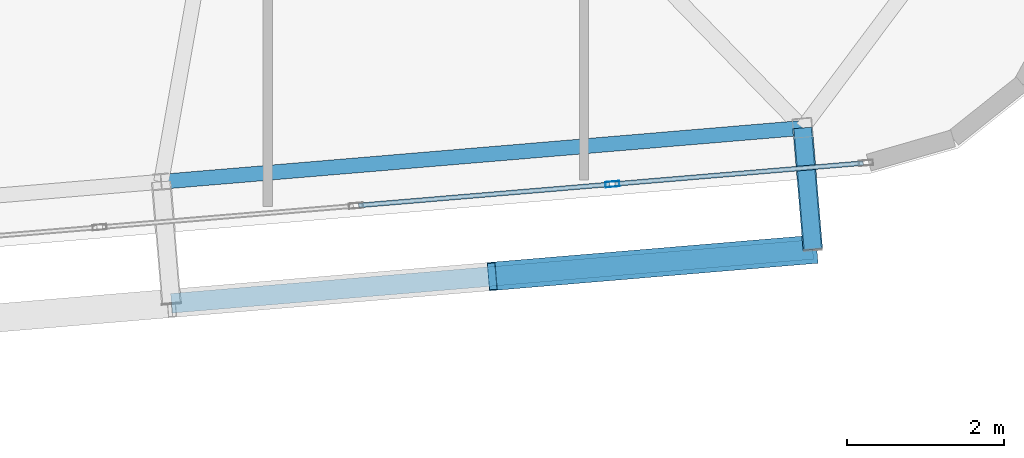
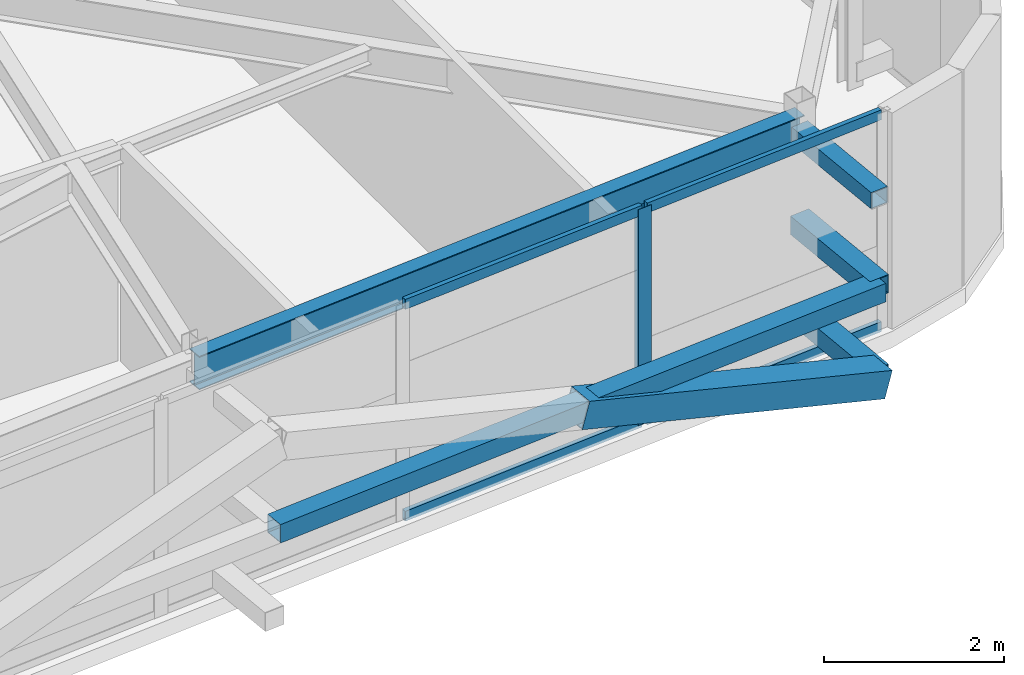
# One storey, part 20 of 46: 10 members, 1 beam, 1 element without a shape of its own.
"""IFC4 building model written with IfcOpenShell, lengths in metres."""

from ifc_helpers import new_model, si_unit, direction, frame, origin, origin_2d, place, context, subcontext, project, spatial, hollow_rectangle, i_section, extrude, source, transform, mapped, material, layer, layer_set, material_profile, profile_set, type_object, element, aggregate, save


model = new_model("IFC4")

# Units and contexts
model_context = context("Model", 3, precision=1e-05, world=origin(), true_north=direction((0.0, 1.0)))
body_context = subcontext(model_context, "Body", "Model", "MODEL_VIEW")
ifc_project = project(units=[si_unit("LENGTHUNIT", "METRE"), si_unit("AREAUNIT", "SQUARE_METRE"), si_unit("VOLUMEUNIT", "CUBIC_METRE"), si_unit("PLANEANGLEUNIT", "RADIAN"), si_unit("MASSUNIT", "GRAM", prefix="KILO")], contexts=[model_context])

# Site, building, storey
site_placement = place(None, origin())
site = spatial("IfcSite", under=ifc_project, at=site_placement, CompositionType="ELEMENT")
building_placement = place(site_placement, origin())
building = spatial("IfcBuilding", under=site, at=building_placement, Name="Taldren Reach Tower", CompositionType="ELEMENT")
storey_placement = place(building_placement, frame((0.0, 0.0, 194.60009765625)))
storey = spatial("IfcBuildingStorey", under=building, at=storey_placement, Name="L59", CompositionType="ELEMENT", Elevation=194.60009765625)

# Members
ifc_material_1 = material(Name="Steel Gr 350 (C350L0)", Category="steel")
ifc_material_profile_1 = material_profile(ifc_material_1, hollow_rectangle(XDim=0.25, YDim=0.25, WallThickness=0.010009765625, at=origin_2d()), Name="250x250x10.0SHS")
ifc_profile_set_1 = profile_set([ifc_material_profile_1], Name="Steel Gr 350 (C350L0)")
member_type_1 = type_object("IfcMemberType", Name="MB-POST250", PredefinedType="POST", material=ifc_profile_set_1)
shared_shape_1 = source(origin(), body_context, "Body", "SweptSolid", [
    extrude(hollow_rectangle(XDim=0.25, YDim=0.25, WallThickness=0.010009765625, at=origin_2d()), origin(), (0.0, 0.0, 1.0), 1.5498046875),
])
for number, where, z_axis, x_axis, name in (
    (1, (58.796142578125, 5.516357421875, 0.219970703125), (0.083801560254, -0.996482462715, 0.0), (0.996482462715, 0.083801560254, 0.0), "Exoskeleton base diaphragm tie strut B4-S6 L59"),
    (2, (58.796142578125, 5.516357421875, 1.434814453125), (0.083801560254, -0.996482462715, 0.0), (0.996482462715, 0.083801560254, 0.0), "Exoskeleton mid-tier diaphragm tie B4-S6 L59"),
):
    element("IfcMember", number, at=place(storey_placement, frame(where, z_axis=z_axis, x_axis=x_axis)), inside=storey, type_object=member_type_1, Name=name, PredefinedType="POST", context=body_context, shape_type="MappedRepresentation", body=[
        mapped(shared_shape_1, transform((0.0, 0.0, 0.0), scale=1.0)),
    ])

# Beam
ifc_material_2 = material(Name="Steel Gr 350 (350PLUS)", Category="steel")
ifc_material_profile_2 = material_profile(ifc_material_2, i_section(OverallWidth=0.18994140625, OverallDepth=0.4541015625, WebThickness=0.008544921875, FlangeThickness=0.0126953125, at=origin_2d()), Name="460UB67.1")
ifc_profile_set_2 = profile_set([ifc_material_profile_2], Name="Steel Gr 350 (350PLUS)")
beam_type = type_object("IfcBeamType", Name="SP-UB460B", PredefinedType="SPANDREL", material=ifc_profile_set_2)
shared_shape_2 = source(origin(), body_context, "Body", "SweptSolid", [
    extrude(i_section(OverallWidth=0.18994140625, OverallDepth=0.4541015625, WebThickness=0.008544921875, FlangeThickness=0.0126953125, at=origin_2d()), origin(), (0.0, 0.0, 1.0), 8.179931640625),
])
beam_placement = place(storey_placement, frame((50.644775390625, 4.83203125, 2.702880859375), z_axis=(0.996494523218, 0.083658025296, 0.0), x_axis=(-0.083658025296, 0.996494523218, 0.0)))
element("IfcBeam", 3, at=beam_placement, inside=storey, type_object=beam_type, Name="Perimeter spandrel B4 S5-S6 L59", PredefinedType="SPANDREL", context=body_context, shape_type="MappedRepresentation", body=[
    mapped(shared_shape_2, transform((0.0, 0.0, 0.0), scale=1.0)),
])

# Members
ifc_material_3 = material(Name="Steel Gr 450 (C450L0)", Category="steel")
ifc_material_profile_3 = material_profile(ifc_material_3, hollow_rectangle(XDim=0.219970703125, YDim=0.219970703125, WallThickness=0.00830078125, at=origin_2d()), Name="220x220x8.2SHS")
ifc_profile_set_3 = profile_set([ifc_material_profile_3], Name="Steel Gr 450 (C450L0)")
member_type_2 = type_object("IfcMemberType", Name="MB-TIE219", PredefinedType="STRUT", material=ifc_profile_set_3)
shared_shape_3 = source(origin(), body_context, "Body", "SweptSolid", [
    extrude(hollow_rectangle(XDim=0.219970703125, YDim=0.219970703125, WallThickness=0.00830078125, at=origin_2d()), origin(), (0.0, 0.0, 1.0), 1.5498046875),
])
member_1_placement = place(storey_placement, frame((58.796142578125, 5.516357421875, 2.64990234375), z_axis=(0.083801560254, -0.996482462715, 0.0), x_axis=(0.996482462715, 0.083801560254, 0.0)))
element("IfcMember", 4, at=member_1_placement, inside=storey, type_object=member_type_2, Name="Exoskeleton diaphragm tie strut B4-S6 L59", PredefinedType="STRUT", context=body_context, shape_type="MappedRepresentation", body=[
    mapped(shared_shape_3, transform((0.0, 0.0, 0.0), scale=1.0)),
])
shared_shape_4 = source(origin(), body_context, "Body", "SweptSolid", [
    extrude(hollow_rectangle(XDim=0.25, YDim=0.25, WallThickness=0.010009765625, at=origin_2d()), origin(), (0.0, 0.0, 1.0), 8.18017578125),
])
member_2_placement = place(storey_placement, frame((50.774658203125, 3.287353515625, 1.434814453125), z_axis=(0.996492034688, 0.083687662192, 0.0), x_axis=(-0.083687662192, 0.996492034688, 0.0)))
element("IfcMember", 5, at=member_2_placement, inside=storey, type_object=member_type_1, Name="Exoskeleton mid-height ring chord B4-S5 L59", PredefinedType="POST", context=body_context, shape_type="MappedRepresentation", body=[
    mapped(shared_shape_4, transform((0.0, 0.0, 0.0), scale=1.0)),
])
ifc_material_profile_4 = material_profile(ifc_material_3, hollow_rectangle(XDim=0.360107421875, YDim=0.360107421875, WallThickness=0.0126953125, at=origin_2d()), Name="360x360x12.7SHS")
ifc_profile_set_4 = profile_set([ifc_material_profile_4], Name="Steel Gr 450 (C450L0)")
member_type_3 = type_object("IfcMemberType", Name="MB-EXO356", PredefinedType="BRACE", material=ifc_profile_set_4)
shared_shape_5 = source(origin(), body_context, "Body", "SweptSolid", [
    extrude(hollow_rectangle(XDim=0.360107421875, YDim=0.360107421875, WallThickness=0.0126953125, at=origin_2d()), origin(), (0.0, 0.0, 1.0), 4.2666015625),
])
member_3_placement = place(storey_placement, frame((58.926025390625, 3.971923828125, 0.219970703125), z_axis=(-0.955244723646, -0.080223619417, 0.284730906006), x_axis=(0.083687662192, -0.996492034688, 0.0)))
element("IfcMember", 6, at=member_3_placement, inside=storey, type_object=member_type_3, Name="Exoskeleton Diagrid Brace B4-S5 L59", PredefinedType="BRACE", context=body_context, shape_type="MappedRepresentation", body=[
    mapped(shared_shape_5, transform((0.0, 0.0, 0.0), scale=1.0)),
])

# Curtain wall, members
ifc_material_4 = material(Name="Aluminium and Low-E Glass Unitised System", Category="aluminium")
ifc_layer = layer(ifc_material_4, 0.159912109375)
ifc_layer_set = layer_set([ifc_layer], Name="Aluminium and Low-E Glass Unitised System")
curtain_wall_type = type_object("IfcCurtainWallType", Name="CW-SYS-5", PredefinedType="NOTDEFINED", material=ifc_layer_set)
curtain_wall_placement = place(storey_placement, origin())
curtain_wall = element("IfcCurtainWall", 7, at=curtain_wall_placement, inside=storey, type_object=curtain_wall_type, Name="Unitised curtain wall CW-L59-S", PredefinedType="NOTDEFINED")
ifc_material_5 = material(Name="Anodised Aluminium 6063-T6", Category="aluminium")
ifc_material_profile_5 = material_profile(ifc_material_5, hollow_rectangle(XDim=0.070068359375, YDim=0.179931640625, WallThickness=0.00390625, at=origin_2d()), Name="ALU-180x70x4RHS")
ifc_profile_set_5 = profile_set([ifc_material_profile_5], Name="Anodised Aluminium 6063-T6")
member_type_4 = type_object("IfcMemberType", Name="CW-MUL-180", PredefinedType="MULLION", material=ifc_profile_set_5)
shared_shape_6 = source(origin(), body_context, "Body", "SweptSolid", [
    extrude(hollow_rectangle(XDim=0.070068359375, YDim=0.179931640625, WallThickness=0.00390625, at=origin_2d()), origin(), (0.0, 0.0, 1.0), 2.929931640625),
])
member_4_placement = place(storey_placement, frame((56.37841796875, 4.801513671875, 0.0), z_axis=(0.0, 0.0, 1.0), x_axis=(-0.083677894865, 0.996492854922, 0.0)))
member_4 = element("IfcMember", 8, at=member_4_placement, type_object=member_type_4, Name="CW-5 mullion 13", PredefinedType="MULLION", context=body_context, shape_type="MappedRepresentation", body=[
    mapped(shared_shape_6, transform((0.0, 0.0, 0.0), scale=1.0)),
])
ifc_material_profile_6 = material_profile(ifc_material_5, hollow_rectangle(XDim=0.06005859375, YDim=0.135009765625, WallThickness=0.00341796875, at=origin_2d()), Name="ALU-135x60x3.5RHS")
ifc_profile_set_6 = profile_set([ifc_material_profile_6], Name="Anodised Aluminium 6063-T6")
member_type_5 = type_object("IfcMemberType", Name="CW-TRN-150", PredefinedType="USERDEFINED", material=ifc_profile_set_6)
shared_shape_7 = source(origin(), body_context, "Body", "SweptSolid", [
    extrude(hollow_rectangle(XDim=0.06005859375, YDim=0.135009765625, WallThickness=0.00341796875, at=origin_2d()), origin(), (0.0, 0.0, 1.0), 3.19921875),
])
member_5_placement = place(storey_placement, frame((53.155517578125, 4.531005859375, 0.02978515625), z_axis=(0.996496109493, 0.083639128198, 0.0), x_axis=(-0.083639128198, 0.996496109493, 0.0)))
member_5 = element("IfcMember", 9, at=member_5_placement, type_object=member_type_5, Name="CW-5 transom 12.1", ObjectType="TRANSOM", PredefinedType="USERDEFINED", context=body_context, shape_type="MappedRepresentation", body=[
    mapped(shared_shape_7, transform((0.0, 0.0, 0.0), scale=1.0)),
])
member_6_placement = place(storey_placement, frame((53.155517578125, 4.531005859375, 2.89990234375), z_axis=(0.996496109493, 0.083639128198, 0.0), x_axis=(-0.083639128198, 0.996496109493, 0.0)))
member_6 = element("IfcMember", 10, at=member_6_placement, type_object=member_type_5, Name="CW-5 transom 12.2", ObjectType="TRANSOM", PredefinedType="USERDEFINED", context=body_context, shape_type="MappedRepresentation", body=[
    mapped(shared_shape_7, transform((0.0, 0.0, 0.0), scale=1.0)),
])
shared_shape_8 = source(origin(), body_context, "Body", "SweptSolid", [
    extrude(hollow_rectangle(XDim=0.06005859375, YDim=0.135009765625, WallThickness=0.00341796875, at=origin_2d()), origin(), (0.0, 0.0, 1.0), 3.164306640625),
])
member_7_placement = place(storey_placement, frame((56.4130859375, 4.804443359375, 0.02978515625), z_axis=(0.996490200681, 0.083709497347, 0.0), x_axis=(-0.083709497347, 0.996490200681, 0.0)))
member_7 = element("IfcMember", 11, at=member_7_placement, type_object=member_type_5, Name="CW-5 transom 13.1", ObjectType="TRANSOM", PredefinedType="USERDEFINED", context=body_context, shape_type="MappedRepresentation", body=[
    mapped(shared_shape_8, transform((0.0, 0.0, 0.0), scale=1.0)),
])
member_8_placement = place(storey_placement, frame((56.4130859375, 4.804443359375, 2.89990234375), z_axis=(0.996490200681, 0.083709497347, 0.0), x_axis=(-0.083709497347, 0.996490200681, 0.0)))
member_8 = element("IfcMember", 12, at=member_8_placement, type_object=member_type_5, Name="CW-5 transom 13.2", ObjectType="TRANSOM", PredefinedType="USERDEFINED", context=body_context, shape_type="MappedRepresentation", body=[
    mapped(shared_shape_8, transform((0.0, 0.0, 0.0), scale=1.0)),
])
aggregate(curtain_wall, [member_4, member_5, member_6, member_7, member_8])

save(model, "model.ifc")
